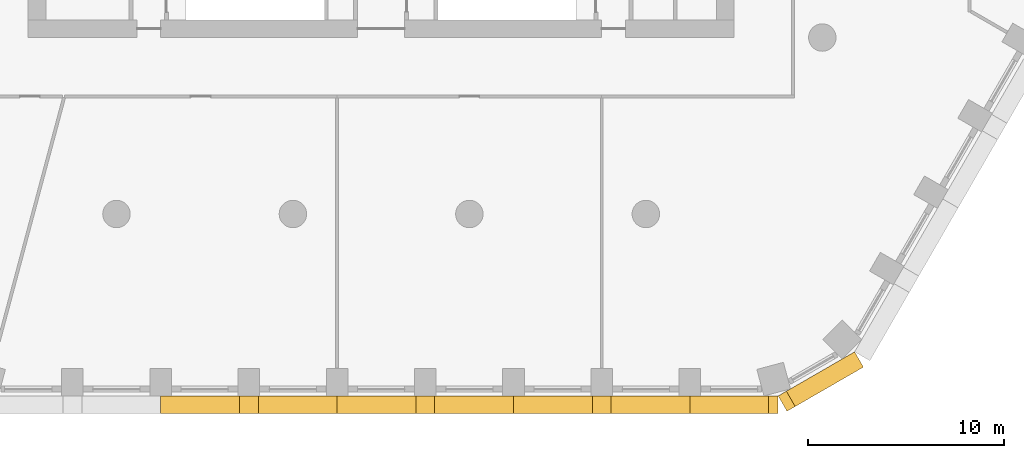
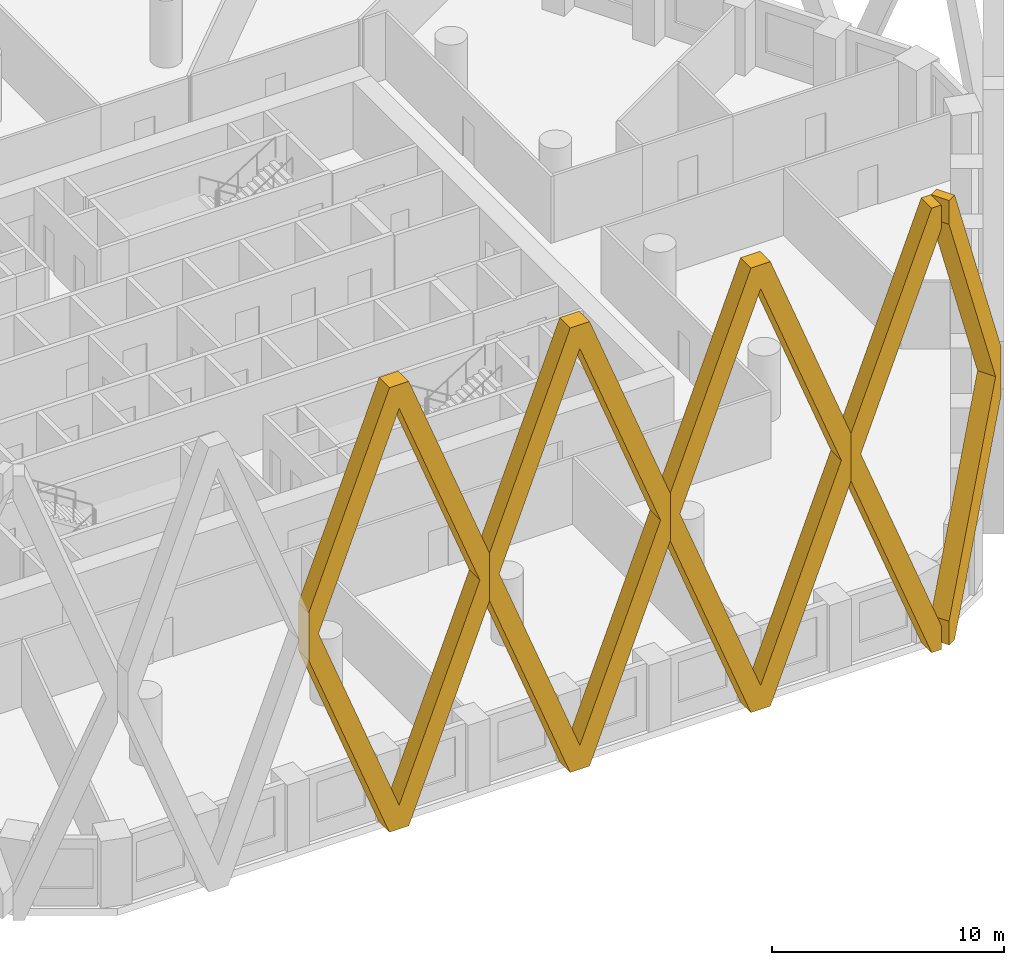
# One storey, part 12 of 18: 5 coverings.
"""IFC4 building model written with IfcOpenShell, lengths in metres."""

from ifc_helpers import new_model, si_unit, direction, frame, origin, place, context, subcontext, project, spatial, polyline, outline, extrude, material, type_object, element, save


model = new_model("IFC4")

# Units and contexts
model_context = context("Model", 3, precision=1e-05, world=origin(), true_north=direction((0.0, 1.0)))
body_context = subcontext(model_context, "Body", "Model", "MODEL_VIEW")
ifc_project = project(units=[si_unit("LENGTHUNIT", "METRE"), si_unit("AREAUNIT", "SQUARE_METRE"), si_unit("VOLUMEUNIT", "CUBIC_METRE"), si_unit("PLANEANGLEUNIT", "RADIAN"), si_unit("MASSUNIT", "GRAM", prefix="KILO")], contexts=[model_context])

# Site, building, storey
site_placement = place(None, origin())
site = spatial("IfcSite", under=ifc_project, at=site_placement, CompositionType="ELEMENT")
building_placement = place(site_placement, origin())
building = spatial("IfcBuilding", under=site, at=building_placement, Name="Dhurran Vertical Campus", CompositionType="ELEMENT")
storey_placement = place(building_placement, frame((0.0, 0.0, 30.0)))
storey = spatial("IfcBuildingStorey", under=building, at=storey_placement, Name="L06", CompositionType="ELEMENT", Elevation=30.0)

# Coverings
ifc_material = material(Name="Precast concrete C50/60", Category="concrete")
covering_type = type_object("IfcCoveringType", Name="Folded precast fin lattice diamond", PredefinedType="USERDEFINED", material=ifc_material)
for number, where, z_axis, x_axis, name in (
    (1, (-11.25, -31.77978515625, 0.0), (0.0, -1.0, 0.0), (1.0, 0.0, 0.0), "FN1 L06.002"),
    (2, (-2.25, -31.77978515625, 0.0), (0.0, -1.0, 0.0), (1.0, 0.0, 0.0), "FN1 L06.003"),
    (3, (6.75, -31.77978515625, 0.0), (0.0, -1.0, 0.0), (1.0, 0.0, 0.0), "FN1 L06.004"),
):
    element("IfcCovering", number, at=place(storey_placement, frame(where, z_axis=z_axis, x_axis=x_axis)), inside=storey, type_object=covering_type, Name=name, ObjectType="FIN", PredefinedType="USERDEFINED", context=body_context, shape_type="SweptSolid", body=[
        extrude(outline(polyline([(9.0, 12.95361328125), (9.0, 10.4462890625), (4.982177734375, 0.0), (4.017822265625, 0.0), (0.0, 10.4462890625), (0.0, 12.95361328125), (4.017822265625, 23.39990234375), (4.982177734375, 23.39990234375), (9.0, 12.95361328125)]), holes=[polyline([(8.517822265625, 11.699951171875), (4.5, 22.146484375), (0.482177734375, 11.699951171875), (4.5, 1.253662109375), (8.517822265625, 11.699951171875)])]), origin(), (0.0, 0.0, 1.0), 0.89990234375),
    ])
covering_1_placement = place(storey_placement, frame((15.75, -31.77978515625, 0.0), z_axis=(0.0, -1.0, 0.0), x_axis=(1.0, 0.0, 0.0)))
element("IfcCovering", 4, at=covering_1_placement, inside=storey, type_object=covering_type, Name="FN1 L06.005", ObjectType="FIN", PredefinedType="USERDEFINED", context=body_context, shape_type="SweptSolid", body=[
    extrude(outline(polyline([(4.017822265625, 0.0), (0.0, 10.4462890625), (0.0, 12.95361328125), (4.017822265625, 23.39990234375), (4.5, 23.39990234375), (4.5, 22.146484375), (0.482177734375, 11.699951171875), (4.5, 1.253662109375), (4.5, 0.0), (4.017822265625, 0.0)])), origin(), (0.0, 0.0, 1.0), 0.89990234375),
])
covering_2_placement = place(storey_placement, frame((20.25, -31.77978515625, 0.0), z_axis=(0.50001992892, -0.866013897511, 0.0), x_axis=(0.866013897511, 0.50001992892, 0.0)))
element("IfcCovering", 5, at=covering_2_placement, inside=storey, type_object=covering_type, Name="FN1 L06.006", ObjectType="FIN", PredefinedType="USERDEFINED", context=body_context, shape_type="SweptSolid", body=[
    extrude(outline(polyline([(4.5, 10.4462890625), (0.482177734375, 0.0), (0.0, 0.0), (0.0, 1.253662109375), (4.017822265625, 11.699951171875), (0.0, 22.146484375), (0.0, 23.39990234375), (0.482177734375, 23.39990234375), (4.5, 12.95361328125), (4.5, 10.4462890625)])), origin(), (0.0, 0.0, 1.0), 0.89990234375),
])

save(model, "model.ifc")
